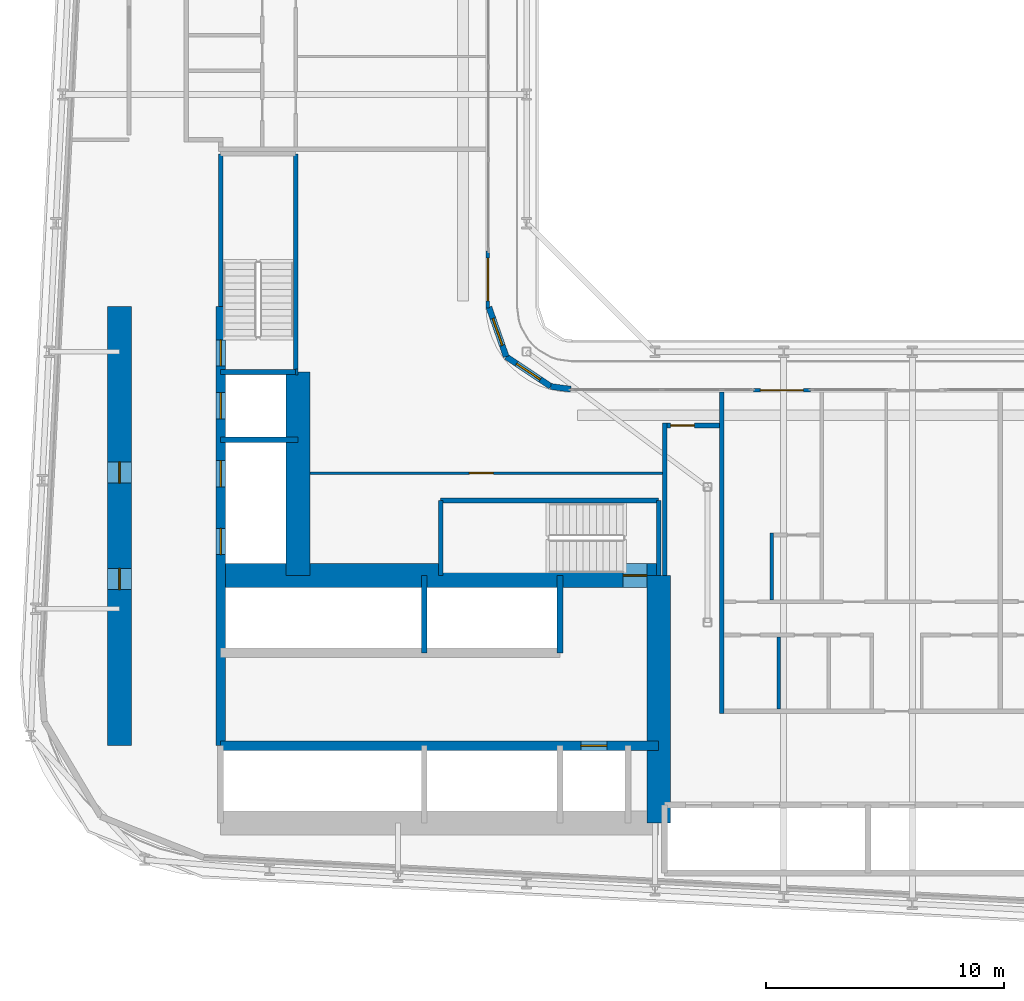
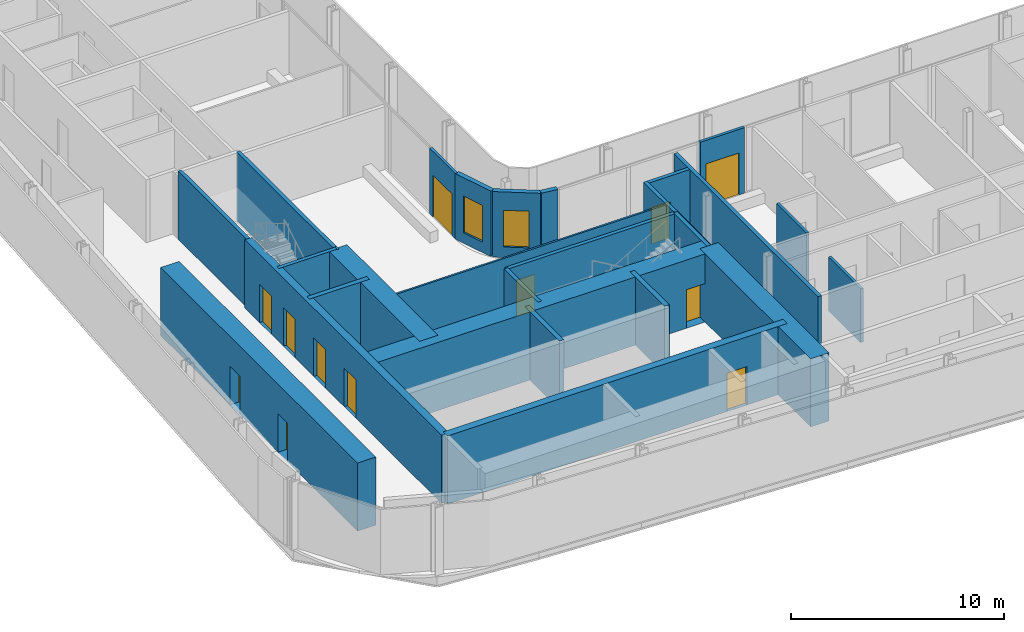
# One storey, part 13 of 28: 27 walls, 12 doors, 2 windows, 14 openings.
"""IFC4 building model written with IfcOpenShell, lengths in metres."""

from ifc_helpers import new_model, si_unit, direction, frame, frame_2d, origin, place, context, subcontext, project, spatial, rectangle, extrude, source, transform, mapped, material, layer, layer_set, type_object, element, fill, save


model = new_model("IFC4")

# Units and contexts
model_context = context("Model", 3, precision=1e-05, world=origin(), true_north=direction((0.0, 1.0)))
body_context = subcontext(model_context, "Body", "Model", "MODEL_VIEW")
ifc_project = project(units=[si_unit("LENGTHUNIT", "METRE"), si_unit("AREAUNIT", "SQUARE_METRE"), si_unit("VOLUMEUNIT", "CUBIC_METRE"), si_unit("PLANEANGLEUNIT", "RADIAN"), si_unit("MASSUNIT", "GRAM", prefix="KILO")], contexts=[model_context])

# Site, building, storey
site_placement = place(None, origin())
site = spatial("IfcSite", under=ifc_project, at=site_placement, CompositionType="ELEMENT")
building_placement = place(site_placement, origin())
building = spatial("IfcBuilding", under=site, at=building_placement, Name="Kheshtan School and Residences Tower", CompositionType="ELEMENT")
storey_placement = place(building_placement, frame((0.0, 0.0, 77.300048828125)))
storey = spatial("IfcBuildingStorey", under=building, at=storey_placement, Name="L18", CompositionType="ELEMENT", Elevation=77.300048828125)

# Wall, opening, door
ifc_material_1 = material(Name="Concrete C80/95", Category="concrete")
ifc_layer_1 = layer(ifc_material_1, 1.0)
ifc_layer_set_1 = layer_set([ifc_layer_1], Name="Core wall 1000 Concrete C80/95")
wall_type_1 = type_object("IfcWallType", Name="Core wall 1000 Concrete C80/95", PredefinedType="SHEAR", material=ifc_layer_set_1)
wall_1_placement = place(storey_placement, frame((34.75, 36.199951171875, 0.0), z_axis=(0.0, 0.0, 1.0), x_axis=(1.0, 0.0, 0.0)))
wall_1 = element("IfcWall", 1, at=wall_1_placement, inside=storey, type_object=wall_type_1, Name="Core wall CW-FRONT-S", PredefinedType="SHEAR", context=body_context, shape_type="SweptSolid", body=[
    extrude(rectangle(XDim=18.39990234375, YDim=1.0, at=frame_2d((9.199951171875, 0.0))), origin(), (0.0, 0.0, 1.0), 3.89990234375),
])
opening_1_placement = place(wall_1_placement, frame((16.89990234375, 0.0, 0.0)))
opening_1 = element("IfcOpeningElement", 2, at=opening_1_placement, cuts=wall_1, Name="Opening ST1D", PredefinedType="OPENING", context=body_context, shape_type="SweptSolid", body=[
    extrude(rectangle(XDim=1.0, YDim=2.199951171875, at=frame_2d((0.5, 1.10009765625))), frame((0.0, 0.510009765625, 0.0), z_axis=(0.0, -1.0, 0.0), x_axis=(1.0, 0.0, 0.0)), (0.0, 0.0, 1.0), 1.02001953125),
])
ifc_material_2 = material(Name="Steel door leaf, galvanised", Category="steel")
door_type_1 = type_object("IfcDoorType", Name="Stair door 1100 steel 90 min", OperationType="SINGLE_SWING_LEFT", PredefinedType="DOOR", material=ifc_material_2)
shared_shape_1 = source(origin(), body_context, "Body", "SweptSolid", [
    extrude(rectangle(XDim=1.0, YDim=2.199951171875, at=frame_2d((0.5, 1.10009765625))), frame((0.0, 0.02490234375, 0.0), z_axis=(0.0, -1.0, 0.0), x_axis=(1.0, 0.0, 0.0)), (0.0, 0.0, 1.0), 0.050048828125),
])
door_1_placement = place(opening_1_placement, origin())
door_1 = element("IfcDoor", 3, at=door_1_placement, inside=storey, type_object=door_type_1, Name="Stair ST1 door", OperationType="SINGLE_SWING_RIGHT", OverallHeight=2.199951171875, OverallWidth=1.0, PredefinedType="DOOR", context=body_context, shape_type="MappedRepresentation", body=[
    mapped(shared_shape_1, transform((0.0, 0.0, 0.0), x_axis=(1.0, 0.0, 0.0), y_axis=(0.0, 1.0, 0.0), z_axis=(0.0, 0.0, 1.0), scale=1.0)),
])
fill(opening_1, door_1)

# Wall
wall_2_placement = place(storey_placement, frame((38.0, 36.199951171875, 0.0), z_axis=(0.0, 0.0, 1.0), x_axis=(0.0, 1.0, 0.0)))
element("IfcWall", 4, at=wall_2_placement, inside=storey, type_object=wall_type_1, Name="Core wall CW-FRONT-W", PredefinedType="SHEAR", context=body_context, shape_type="SweptSolid", body=[
    extrude(rectangle(XDim=8.550048828125, YDim=1.0, at=frame_2d((4.27490234375, 0.0))), origin(), (0.0, 0.0, 1.0), 3.89990234375),
])

# Wall, openings, doors
wall_3_placement = place(storey_placement, frame((30.5, 29.050048828125, 0.0), z_axis=(0.0, 0.0, 1.0), x_axis=(0.0, 1.0, 0.0)))
wall_3 = element("IfcWall", 5, at=wall_3_placement, inside=storey, type_object=wall_type_1, Name="Core wall CW-REAR-W", PredefinedType="SHEAR", context=body_context, shape_type="SweptSolid", body=[
    extrude(rectangle(XDim=18.449951171875, YDim=1.0, at=frame_2d((9.22509765625, 0.0))), origin(), (0.0, 0.0, 1.0), 3.89990234375),
])
opening_2_placement = place(wall_3_placement, frame((6.550048828125, 0.0, 0.0)))
opening_2 = element("IfcOpeningElement", 6, at=opening_2_placement, cuts=wall_3, Name="Opening SR90", PredefinedType="OPENING", context=body_context, shape_type="SweptSolid", body=[
    extrude(rectangle(XDim=0.89990234375, YDim=2.199951171875, at=frame_2d((0.449951171875, 1.10009765625))), frame((0.0, 0.510009765625, 0.0), z_axis=(0.0, -1.0, 0.0), x_axis=(1.0, 0.0, 0.0)), (0.0, 0.0, 1.0), 1.02001953125),
])
opening_3_placement = place(wall_3_placement, frame((11.02490234375, 0.0, 0.0)))
opening_3 = element("IfcOpeningElement", 7, at=opening_3_placement, cuts=wall_3, Name="Opening SR90", PredefinedType="OPENING", context=body_context, shape_type="SweptSolid", body=[
    extrude(rectangle(XDim=0.89990234375, YDim=2.199951171875, at=frame_2d((0.449951171875, 1.10009765625))), frame((0.0, 0.510009765625, 0.0), z_axis=(0.0, -1.0, 0.0), x_axis=(1.0, 0.0, 0.0)), (0.0, 0.0, 1.0), 1.02001953125),
])
door_type_2 = type_object("IfcDoorType", Name="Service room door 900 steel 90 min", OperationType="SINGLE_SWING_LEFT", PredefinedType="DOOR", material=ifc_material_2)
shared_shape_2 = source(origin(), body_context, "Body", "SweptSolid", [
    extrude(rectangle(XDim=0.89990234375, YDim=2.199951171875, at=frame_2d((0.449951171875, 1.10009765625))), frame((0.0, 0.02490234375, 0.0), z_axis=(0.0, -1.0, 0.0), x_axis=(1.0, 0.0, 0.0)), (0.0, 0.0, 1.0), 0.050048828125),
])
door_2_placement = place(opening_2_placement, origin())
door_2 = element("IfcDoor", 8, at=door_2_placement, inside=storey, type_object=door_type_2, Name="Service room door", OperationType="SINGLE_SWING_RIGHT", OverallHeight=2.199951171875, OverallWidth=0.89990234375, PredefinedType="DOOR", context=body_context, shape_type="MappedRepresentation", body=[
    mapped(shared_shape_2, transform((0.0, 0.0, 0.0), x_axis=(1.0, 0.0, 0.0), y_axis=(0.0, 1.0, 0.0), z_axis=(0.0, 0.0, 1.0), scale=1.0)),
])
fill(opening_2, door_2)
door_3_placement = place(opening_3_placement, origin())
door_3 = element("IfcDoor", 9, at=door_3_placement, inside=storey, type_object=door_type_2, Name="Service room door", OperationType="SINGLE_SWING_RIGHT", OverallHeight=2.199951171875, OverallWidth=0.89990234375, PredefinedType="DOOR", context=body_context, shape_type="MappedRepresentation", body=[
    mapped(shared_shape_2, transform((0.0, 0.0, 0.0), x_axis=(1.0, 0.0, 0.0), y_axis=(0.0, 1.0, 0.0), z_axis=(0.0, 0.0, 1.0), scale=1.0)),
])
fill(opening_3, door_3)

# Wall
wall_4_placement = place(storey_placement, frame((53.14990234375, 25.800048828125, 0.0), z_axis=(0.0, 0.0, 1.0), x_axis=(0.0, 1.0, 0.0)))
element("IfcWall", 10, at=wall_4_placement, inside=storey, type_object=wall_type_1, Name="Core wall CW-EAST", PredefinedType="SHEAR", context=body_context, shape_type="SweptSolid", body=[
    extrude(rectangle(XDim=10.39990234375, YDim=1.0, at=frame_2d((5.199951171875, 0.0))), origin(), (0.0, 0.0, 1.0), 3.89990234375),
])

# Wall, opening, door
ifc_material_3 = material(Name="Concrete C50/60", Category="concrete")
ifc_layer_2 = layer(ifc_material_3, 0.39990234375)
ifc_layer_set_2 = layer_set([ifc_layer_2], Name="Core wall 400 Concrete C50/60")
wall_type_2 = type_object("IfcWallType", Name="Core wall 400 Concrete C50/60", PredefinedType="SHEAR", material=ifc_layer_set_2)
wall_5_placement = place(storey_placement, frame((34.75, 29.050048828125, 0.0), z_axis=(0.0, 0.0, 1.0), x_axis=(1.0, 0.0, 0.0)))
wall_5 = element("IfcWall", 11, at=wall_5_placement, inside=storey, type_object=wall_type_2, Name="Core wall CW-HALL-S1", PredefinedType="SHEAR", context=body_context, shape_type="SweptSolid", body=[
    extrude(rectangle(XDim=18.39990234375, YDim=0.39990234375, at=frame_2d((9.199951171875, 0.0))), origin(), (0.0, 0.0, 1.0), 3.89990234375),
])
opening_4_placement = place(wall_5_placement, frame((15.125, 0.0, 0.0)))
opening_4 = element("IfcOpeningElement", 12, at=opening_4_placement, cuts=wall_5, Name="Opening LD", PredefinedType="OPENING", context=body_context, shape_type="SweptSolid", body=[
    extrude(rectangle(XDim=1.10009765625, YDim=2.199951171875, at=frame_2d((0.550048828125, 1.10009765625))), frame((0.0, 0.2099609375, 0.0), z_axis=(0.0, -1.0, 0.0), x_axis=(1.0, 0.0, 0.0)), (0.0, 0.0, 1.0), 0.419921875),
])
ifc_material_4 = material(Name="Stainless steel door leaves", Category="steel")
door_type_3 = type_object("IfcDoorType", Name="Lift landing door 1100", OperationType="SLIDING_TO_LEFT", PredefinedType="DOOR", material=ifc_material_4)
shared_shape_3 = source(origin(), body_context, "Body", "SweptSolid", [
    extrude(rectangle(XDim=1.10009765625, YDim=2.199951171875, at=frame_2d((0.550048828125, 1.10009765625))), frame((0.0, 0.02490234375, 0.0), z_axis=(0.0, -1.0, 0.0), x_axis=(1.0, 0.0, 0.0)), (0.0, 0.0, 1.0), 0.050048828125),
])
door_4_placement = place(opening_4_placement, origin())
door_4 = element("IfcDoor", 13, at=door_4_placement, inside=storey, type_object=door_type_3, Name="Lift FFL2 landing door", OperationType="SLIDING_TO_LEFT", OverallHeight=2.199951171875, OverallWidth=1.10009765625, PredefinedType="DOOR", context=body_context, shape_type="MappedRepresentation", body=[
    mapped(shared_shape_3, transform((0.0, 0.0, 0.0), x_axis=(1.0, 0.0, 0.0), y_axis=(0.0, 1.0, 0.0), z_axis=(0.0, 0.0, 1.0), scale=1.0)),
])
fill(opening_4, door_4)

# Wall, openings, doors
wall_6_placement = place(storey_placement, frame((34.75, 29.050048828125, 0.0), z_axis=(0.0, 0.0, 1.0), x_axis=(0.0, 1.0, 0.0)))
wall_6 = element("IfcWall", 14, at=wall_6_placement, inside=storey, type_object=wall_type_2, Name="Core wall CW-HALL-W1", PredefinedType="SHEAR", context=body_context, shape_type="SweptSolid", body=[
    extrude(rectangle(XDim=18.449951171875, YDim=0.39990234375, at=frame_2d((9.22509765625, 0.0))), origin(), (0.0, 0.0, 1.0), 3.89990234375),
])
opening_5_placement = place(wall_6_placement, frame((8.02490234375, 0.0, 0.0)))
opening_5 = element("IfcOpeningElement", 15, at=opening_5_placement, cuts=wall_6, Name="Opening LD", PredefinedType="OPENING", context=body_context, shape_type="SweptSolid", body=[
    extrude(rectangle(XDim=1.10009765625, YDim=2.199951171875, at=frame_2d((0.550048828125, 1.10009765625))), frame((0.0, 0.2099609375, 0.0), z_axis=(0.0, -1.0, 0.0), x_axis=(1.0, 0.0, 0.0)), (0.0, 0.0, 1.0), 0.419921875),
])
opening_6_placement = place(wall_6_placement, frame((10.875, 0.0, 0.0)))
opening_6 = element("IfcOpeningElement", 16, at=opening_6_placement, cuts=wall_6, Name="Opening LD", PredefinedType="OPENING", context=body_context, shape_type="SweptSolid", body=[
    extrude(rectangle(XDim=1.10009765625, YDim=2.199951171875, at=frame_2d((0.550048828125, 1.10009765625))), frame((0.0, 0.2099609375, 0.0), z_axis=(0.0, -1.0, 0.0), x_axis=(1.0, 0.0, 0.0)), (0.0, 0.0, 1.0), 0.419921875),
])
opening_7_placement = place(wall_6_placement, frame((13.72509765625, 0.0, 0.0)))
opening_7 = element("IfcOpeningElement", 17, at=opening_7_placement, cuts=wall_6, Name="Opening LD", PredefinedType="OPENING", context=body_context, shape_type="SweptSolid", body=[
    extrude(rectangle(XDim=1.10009765625, YDim=2.199951171875, at=frame_2d((0.550048828125, 1.10009765625))), frame((0.0, 0.2099609375, 0.0), z_axis=(0.0, -1.0, 0.0), x_axis=(1.0, 0.0, 0.0)), (0.0, 0.0, 1.0), 0.419921875),
])
opening_8_placement = place(wall_6_placement, frame((15.949951171875, 0.0, 0.0)))
opening_8 = element("IfcOpeningElement", 18, at=opening_8_placement, cuts=wall_6, Name="Opening ST2D", PredefinedType="OPENING", context=body_context, shape_type="SweptSolid", body=[
    extrude(rectangle(XDim=1.10009765625, YDim=2.199951171875, at=frame_2d((0.550048828125, 1.10009765625))), frame((0.0, 0.2099609375, 0.0), z_axis=(0.0, -1.0, 0.0), x_axis=(1.0, 0.0, 0.0)), (0.0, 0.0, 1.0), 0.419921875),
])
door_5_placement = place(opening_5_placement, origin())
door_5 = element("IfcDoor", 19, at=door_5_placement, inside=storey, type_object=door_type_3, Name="Lift SV1 landing door", OperationType="SLIDING_TO_LEFT", OverallHeight=2.199951171875, OverallWidth=1.10009765625, PredefinedType="DOOR", context=body_context, shape_type="MappedRepresentation", body=[
    mapped(shared_shape_3, transform((0.0, 0.0, 0.0), x_axis=(1.0, 0.0, 0.0), y_axis=(0.0, 1.0, 0.0), z_axis=(0.0, 0.0, 1.0), scale=1.0)),
])
fill(opening_5, door_5)
door_6_placement = place(opening_6_placement, origin())
door_6 = element("IfcDoor", 20, at=door_6_placement, inside=storey, type_object=door_type_3, Name="Lift SV2 landing door", OperationType="SLIDING_TO_LEFT", OverallHeight=2.199951171875, OverallWidth=1.10009765625, PredefinedType="DOOR", context=body_context, shape_type="MappedRepresentation", body=[
    mapped(shared_shape_3, transform((0.0, 0.0, 0.0), x_axis=(1.0, 0.0, 0.0), y_axis=(0.0, 1.0, 0.0), z_axis=(0.0, 0.0, 1.0), scale=1.0)),
])
fill(opening_6, door_6)
door_7_placement = place(opening_7_placement, origin())
door_7 = element("IfcDoor", 21, at=door_7_placement, inside=storey, type_object=door_type_3, Name="Lift FFL1 landing door", OperationType="SLIDING_TO_LEFT", OverallHeight=2.199951171875, OverallWidth=1.10009765625, PredefinedType="DOOR", context=body_context, shape_type="MappedRepresentation", body=[
    mapped(shared_shape_3, transform((0.0, 0.0, 0.0), x_axis=(1.0, 0.0, 0.0), y_axis=(0.0, 1.0, 0.0), z_axis=(0.0, 0.0, 1.0), scale=1.0)),
])
fill(opening_7, door_7)
shared_shape_4 = source(origin(), body_context, "Body", "SweptSolid", [
    extrude(rectangle(XDim=1.10009765625, YDim=2.199951171875, at=frame_2d((0.550048828125, 1.10009765625))), frame((0.0, 0.02490234375, 0.0), z_axis=(0.0, -1.0, 0.0), x_axis=(1.0, 0.0, 0.0)), (0.0, 0.0, 1.0), 0.050048828125),
])
door_8_placement = place(opening_8_placement, origin())
door_8 = element("IfcDoor", 22, at=door_8_placement, inside=storey, type_object=door_type_1, Name="Stair ST2 door", OperationType="SINGLE_SWING_RIGHT", OverallHeight=2.199951171875, OverallWidth=1.10009765625, PredefinedType="DOOR", context=body_context, shape_type="MappedRepresentation", body=[
    mapped(shared_shape_4, transform((0.0, 0.0, 0.0), x_axis=(1.0, 0.0, 0.0), y_axis=(0.0, 1.0, 0.0), z_axis=(0.0, 0.0, 1.0), scale=1.0)),
])
fill(opening_8, door_8)

# Wall
ifc_material_5 = material(Name="Gypsum board on steel studs with fire boards", Category="steel")
ifc_layer_3 = layer(ifc_material_5, 0.199951171875)
ifc_layer_set_3 = layer_set([ifc_layer_3], Name="Corridor wall 200")
wall_type_3 = type_object("IfcWallType", Name="Corridor wall 200", PredefinedType="PARTITIONING", material=ifc_layer_set_3)
wall_7_placement = place(storey_placement, frame((53.39990234375, 36.198974609375, 0.0), z_axis=(0.0, 0.0, 1.0), x_axis=(0.0, 1.0, 0.0)))
element("IfcWall", 23, at=wall_7_placement, inside=storey, type_object=wall_type_3, Name="Partition L18-044", PredefinedType="PARTITIONING", context=body_context, shape_type="SweptSolid", body=[
    extrude(rectangle(XDim=6.401123046875, YDim=0.199951171875, at=frame_2d((3.20068359375, 0.0))), origin(), (0.0, 0.0, 1.0), 3.599853515625),
])

# Wall, opening, door
wall_8_placement = place(storey_placement, frame((53.5, 42.5, 0.0), z_axis=(0.0, 0.0, 1.0), x_axis=(1.0, 0.0, 0.0)))
wall_8 = element("IfcWall", 24, at=wall_8_placement, inside=storey, type_object=wall_type_3, Name="Partition L18-045", PredefinedType="PARTITIONING", context=body_context, shape_type="SweptSolid", body=[
    extrude(rectangle(XDim=2.199951171875, YDim=0.199951171875, at=frame_2d((1.10009765625, 0.0))), origin(), (0.0, 0.0, 1.0), 3.599853515625),
])
opening_9_placement = place(wall_8_placement, frame((0.14990234375, 0.0, 0.0)))
opening_9 = element("IfcOpeningElement", 25, at=opening_9_placement, cuts=wall_8, Name="Opening D17-067", PredefinedType="OPENING", context=body_context, shape_type="SweptSolid", body=[
    extrude(rectangle(XDim=1.0, YDim=2.10009765625, at=frame_2d((0.5, 1.050048828125))), frame((0.0, 0.10986328125, 0.0), z_axis=(0.0, -1.0, 0.0), x_axis=(1.0, 0.0, 0.0)), (0.0, 0.0, 1.0), 0.219970703125),
])
ifc_material_6 = material(Name="Steel-framed fire-resisting door leaf", Category="steel")
door_type_4 = type_object("IfcDoorType", Name="Fire door FD60 1000 x 2100", OperationType="SINGLE_SWING_LEFT", PredefinedType="DOOR", material=ifc_material_6)
shared_shape_5 = source(origin(), body_context, "Body", "SweptSolid", [
    extrude(rectangle(XDim=1.0, YDim=2.10009765625, at=frame_2d((0.5, 1.050048828125))), frame((0.0, 0.02490234375, 0.0), z_axis=(0.0, -1.0, 0.0), x_axis=(1.0, 0.0, 0.0)), (0.0, 0.0, 1.0), 0.050048828125),
])
door_9_placement = place(opening_9_placement, origin())
door_9 = element("IfcDoor", 26, at=door_9_placement, inside=storey, type_object=door_type_4, Name="Door D17-067", OperationType="SINGLE_SWING_RIGHT", OverallHeight=2.10009765625, OverallWidth=1.0, PredefinedType="DOOR", context=body_context, shape_type="MappedRepresentation", body=[
    mapped(shared_shape_5, transform((0.0, 0.0, 0.0), x_axis=(1.0, 0.0, 0.0), y_axis=(0.0, 1.0, 0.0), z_axis=(0.0, 0.0, 1.0), scale=1.0)),
])
fill(opening_9, door_9)

# Wall, opening, window
ifc_material_7 = material(Name="Concrete C40/50 with ceramic cladding and mineral wool insulation", Category="concrete")
ifc_layer_4 = layer(ifc_material_7, 0.25)
ifc_layer_set_4 = layer_set([ifc_layer_4], Name="External wall 250 ceramic clad")
wall_type_4 = type_object("IfcWallType", Name="External wall 250 ceramic clad", PredefinedType="SOLIDWALL", material=ifc_layer_set_4)
wall_9_placement = place(storey_placement, frame((46.01806640625, 47.470947265625, 0.0), z_axis=(0.0, 0.0, 1.0), x_axis=(0.328791208903, -0.944402637093, 0.0)))
wall_9 = element("IfcWall", 27, at=wall_9_placement, inside=storey, type_object=wall_type_4, Name="External wall L18 9", PredefinedType="SOLIDWALL", context=body_context, shape_type="SweptSolid", body=[
    extrude(rectangle(XDim=2.20458984375, YDim=0.25, at=frame_2d((1.102294921875, 0.0))), origin(), (0.0, 0.0, 1.0), 3.75),
])
opening_10_placement = place(wall_9_placement, frame((0.5029296875, 0.0, 0.60009765625)))
opening_10 = element("IfcOpeningElement", 28, at=opening_10_placement, cuts=wall_9, Name="Opening WN-E", PredefinedType="OPENING", context=body_context, shape_type="SweptSolid", body=[
    extrude(rectangle(XDim=1.199951171875, YDim=2.10009765625, at=frame_2d((0.60009765625, 1.050048828125))), frame((0.0, 0.135009765625, 0.0), z_axis=(0.0, -1.0, 0.0), x_axis=(1.0, 0.0, 0.0)), (0.0, 0.0, 1.0), 0.27001953125),
])
ifc_material_8 = material(Name="Clear low-e glass in thermally broken aluminium frame", Category="aluminium")
window_type = type_object("IfcWindowType", Name="Window WN-E", PartitioningType="SINGLE_PANEL", PredefinedType="WINDOW", material=ifc_material_8)
shared_shape_6 = source(origin(), body_context, "Body", "SweptSolid", [
    extrude(rectangle(XDim=1.199951171875, YDim=2.10009765625, at=frame_2d((0.60009765625, 1.050048828125))), frame((0.0, 0.030029296875, 0.0), z_axis=(0.0, -1.0, 0.0), x_axis=(1.0, 0.0, 0.0)), (0.0, 0.0, 1.0), 0.06005859375),
])
window_1_placement = place(opening_10_placement, origin())
window_1 = element("IfcWindow", 29, at=window_1_placement, inside=storey, type_object=window_type, Name="Window L18 9", OverallHeight=2.10009765625, OverallWidth=1.199951171875, PartitioningType="SINGLE_PANEL", PredefinedType="WINDOW", context=body_context, shape_type="MappedRepresentation", body=[
    mapped(shared_shape_6, transform((0.0, 0.0, 0.0), x_axis=(1.0, 0.0, 0.0), y_axis=(0.0, 1.0, 0.0), z_axis=(0.0, 0.0, 1.0), scale=1.0)),
])
fill(opening_10, window_1)

wall_10_placement = place(storey_placement, frame((46.742919921875, 45.388916015625, 0.0), z_axis=(0.0, 0.0, 1.0), x_axis=(0.831449265529, -0.555600682912, 0.0)))
wall_10 = element("IfcWall", 30, at=wall_10_placement, inside=storey, type_object=wall_type_4, Name="External wall L18 10", PredefinedType="SOLIDWALL", context=body_context, shape_type="SweptSolid", body=[
    extrude(rectangle(XDim=2.25146484375, YDim=0.25, at=frame_2d((1.125732421875, 0.0))), origin(), (0.0, 0.0, 1.0), 3.75),
])
opening_11_placement = place(wall_10_placement, frame((0.52490234375, 0.0, 0.60009765625)))
opening_11 = element("IfcOpeningElement", 31, at=opening_11_placement, cuts=wall_10, Name="Opening WN-E", PredefinedType="OPENING", context=body_context, shape_type="SweptSolid", body=[
    extrude(rectangle(XDim=1.199951171875, YDim=2.10009765625, at=frame_2d((0.60009765625, 1.050048828125))), frame((0.0, 0.135009765625, 0.0), z_axis=(0.0, -1.0, 0.0), x_axis=(1.0, 0.0, 0.0)), (0.0, 0.0, 1.0), 0.27001953125),
])
window_2_placement = place(opening_11_placement, origin())
window_2 = element("IfcWindow", 32, at=window_2_placement, inside=storey, type_object=window_type, Name="Window L18 10", OverallHeight=2.10009765625, OverallWidth=1.199951171875, PartitioningType="SINGLE_PANEL", PredefinedType="WINDOW", context=body_context, shape_type="MappedRepresentation", body=[
    mapped(shared_shape_6, transform((0.0, 0.0, 0.0), x_axis=(1.0, 0.0, 0.0), y_axis=(0.0, 1.0, 0.0), z_axis=(0.0, 0.0, 1.0), scale=1.0)),
])
fill(opening_11, window_2)

# Wall
wall_11_placement = place(storey_placement, frame((48.614990234375, 44.137939453125, 0.0), z_axis=(0.0, 0.0, 1.0), x_axis=(0.990741504246, -0.135761819977, 0.0)))
element("IfcWall", 33, at=wall_11_placement, inside=storey, type_object=wall_type_4, Name="External wall L18 11", PredefinedType="SOLIDWALL", context=body_context, shape_type="SweptSolid", body=[
    extrude(rectangle(XDim=0.83984375, YDim=0.25, at=frame_2d((0.419921875, 0.0))), origin(), (0.0, 0.0, 1.0), 3.75),
])

# Wall, opening, door
ifc_material_9 = material(Name="Aluminium frame wall with insulated infill", Category="aluminium")
ifc_layer_5 = layer(ifc_material_9, 0.14990234375)
ifc_layer_set_5 = layer_set([ifc_layer_5], Name="Glazing frame wall 150")
wall_type_5 = type_object("IfcWallType", Name="Glazing frame wall 150", PredefinedType="SOLIDWALL", material=ifc_layer_set_5)
wall_12_placement = place(storey_placement, frame((45.97509765625, 49.830078125, 0.0), z_axis=(0.0, 0.0, 1.0), x_axis=(0.0, -1.0, 0.0)))
wall_12 = element("IfcWall", 34, at=wall_12_placement, inside=storey, type_object=wall_type_5, Name="Balcony door wall L18 8.5", PredefinedType="SOLIDWALL", context=body_context, shape_type="SweptSolid", body=[
    extrude(rectangle(XDim=2.400146484375, YDim=0.14990234375, at=frame_2d((1.2001953125, 0.0))), origin(), (0.0, 0.0, 1.0), 3.75),
])
opening_12_placement = place(wall_12_placement, frame((0.300048828125, 0.0, 0.0)))
opening_12 = element("IfcOpeningElement", 35, at=opening_12_placement, cuts=wall_12, Name="Opening BD", PredefinedType="OPENING", context=body_context, shape_type="SweptSolid", body=[
    extrude(rectangle(XDim=1.800048828125, YDim=2.39990234375, at=frame_2d((0.89990234375, 1.199951171875))), frame((0.0, 0.0849609375, 0.0), z_axis=(0.0, -1.0, 0.0), x_axis=(1.0, 0.0, 0.0)), (0.0, 0.0, 1.0), 0.169921875),
])
door_type_5 = type_object("IfcDoorType", Name="Balcony sliding door", OperationType="SLIDING_TO_LEFT", PredefinedType="DOOR", material=ifc_material_8)
shared_shape_7 = source(origin(), body_context, "Body", "SweptSolid", [
    extrude(rectangle(XDim=1.800048828125, YDim=2.39990234375, at=frame_2d((0.89990234375, 1.199951171875))), frame((0.0, 0.02490234375, 0.0), z_axis=(0.0, -1.0, 0.0), x_axis=(1.0, 0.0, 0.0)), (0.0, 0.0, 1.0), 0.050048828125),
])
door_10_placement = place(opening_12_placement, origin())
door_10 = element("IfcDoor", 36, at=door_10_placement, inside=storey, type_object=door_type_5, Name="Balcony door L18 8.5", OperationType="SLIDING_TO_LEFT", OverallHeight=2.39990234375, OverallWidth=1.800048828125, PredefinedType="DOOR", context=body_context, shape_type="MappedRepresentation", body=[
    mapped(shared_shape_7, transform((0.0, 0.0, 0.0), x_axis=(1.0, 0.0, 0.0), y_axis=(0.0, 1.0, 0.0), z_axis=(0.0, 0.0, 1.0), scale=1.0)),
])
fill(opening_12, door_10)

wall_13_placement = place(storey_placement, frame((57.1240234375, 43.97509765625, 0.0), z_axis=(0.0, 0.0, 1.0), x_axis=(1.0, 0.0, 0.0)))
wall_13 = element("IfcWall", 37, at=wall_13_placement, inside=storey, type_object=wall_type_5, Name="Balcony door wall L18 12.1", PredefinedType="SOLIDWALL", context=body_context, shape_type="SweptSolid", body=[
    extrude(rectangle(XDim=2.39990234375, YDim=0.14990234375, at=frame_2d((1.199951171875, 0.0))), origin(), (0.0, 0.0, 1.0), 3.75),
])
opening_13_placement = place(wall_13_placement, frame((0.300048828125, 0.0, 0.0)))
opening_13 = element("IfcOpeningElement", 38, at=opening_13_placement, cuts=wall_13, Name="Opening BD", PredefinedType="OPENING", context=body_context, shape_type="SweptSolid", body=[
    extrude(rectangle(XDim=1.800048828125, YDim=2.39990234375, at=frame_2d((0.89990234375, 1.199951171875))), frame((0.0, 0.0849609375, 0.0), z_axis=(0.0, -1.0, 0.0), x_axis=(1.0, 0.0, 0.0)), (0.0, 0.0, 1.0), 0.169921875),
])
door_11_placement = place(opening_13_placement, origin())
door_11 = element("IfcDoor", 39, at=door_11_placement, inside=storey, type_object=door_type_5, Name="Balcony door L18 12.1", OperationType="SLIDING_TO_LEFT", OverallHeight=2.39990234375, OverallWidth=1.800048828125, PredefinedType="DOOR", context=body_context, shape_type="MappedRepresentation", body=[
    mapped(shared_shape_7, transform((0.0, 0.0, 0.0), x_axis=(1.0, 0.0, 0.0), y_axis=(0.0, 1.0, 0.0), z_axis=(0.0, 0.0, 1.0), scale=1.0)),
])
fill(opening_13, door_11)

ifc_material_10 = material(Name="Gypsum board on steel studs", Category="steel")
ifc_layer_6 = layer(ifc_material_10, 0.10009765625)
ifc_layer_set_6 = layer_set([ifc_layer_6], Name="Gypsum partition 100")
wall_type_6 = type_object("IfcWallType", Name="Gypsum partition 100", PredefinedType="PARTITIONING", material=ifc_layer_set_6)
wall_14_placement = place(storey_placement, frame((38.4990234375, 40.5, 0.0), z_axis=(0.0, 0.0, 1.0), x_axis=(1.0, 0.0, 0.0)))
wall_14 = element("IfcWall", 40, at=wall_14_placement, inside=storey, type_object=wall_type_6, Name="Partition L18-042", PredefinedType="PARTITIONING", context=body_context, shape_type="SweptSolid", body=[
    extrude(rectangle(XDim=14.801025390625, YDim=0.10009765625, at=frame_2d((7.400390625, 0.0))), origin(), (0.0, 0.0, 1.0), 3.599853515625),
])
opening_14_placement = place(wall_14_placement, frame((6.700927734375, 0.0, 0.0)))
opening_14 = element("IfcOpeningElement", 41, at=opening_14_placement, cuts=wall_14, Name="Opening D17-066", PredefinedType="OPENING", context=body_context, shape_type="SweptSolid", body=[
    extrude(rectangle(XDim=1.0, YDim=2.10009765625, at=frame_2d((0.5, 1.050048828125))), frame((0.0, 0.06005859375, 0.0), z_axis=(0.0, -1.0, 0.0), x_axis=(1.0, 0.0, 0.0)), (0.0, 0.0, 1.0), 0.1201171875),
])
ifc_material_11 = material(Name="Veneered timber door leaf", Category="wood")
door_type_6 = type_object("IfcDoorType", Name="Door 1000 x 2100", OperationType="SINGLE_SWING_LEFT", PredefinedType="DOOR", material=ifc_material_11)
shared_shape_8 = source(origin(), body_context, "Body", "SweptSolid", [
    extrude(rectangle(XDim=1.0, YDim=2.10009765625, at=frame_2d((0.5, 1.050048828125))), frame((0.0, 0.02490234375, 0.0), z_axis=(0.0, -1.0, 0.0), x_axis=(1.0, 0.0, 0.0)), (0.0, 0.0, 1.0), 0.050048828125),
])
door_12_placement = place(opening_14_placement, origin())
door_12 = element("IfcDoor", 42, at=door_12_placement, inside=storey, type_object=door_type_6, Name="Door D17-066", OperationType="SINGLE_SWING_RIGHT", OverallHeight=2.10009765625, OverallWidth=1.0, PredefinedType="DOOR", context=body_context, shape_type="MappedRepresentation", body=[
    mapped(shared_shape_8, transform((0.0, 0.0, 0.0), x_axis=(1.0, 0.0, 0.0), y_axis=(0.0, 1.0, 0.0), z_axis=(0.0, 0.0, 1.0), scale=1.0)),
])
fill(opening_14, door_12)

# Walls
ifc_material_12 = material(Name="Fire-board shaft wall system")
ifc_layer_7 = layer(ifc_material_12, 0.25)
ifc_layer_set_7 = layer_set([ifc_layer_7], Name="Shaft lining wall 250")
wall_type_7 = type_object("IfcWallType", Name="Shaft lining wall 250", PredefinedType="PARTITIONING", material=ifc_layer_set_7)
for number, where, z_axis, x_axis, name in (
    (43, (43.300048828125, 32.949951171875, 0.0), (0.0, 0.0, 1.0), (0.0, 1.0, 0.0), "Shaft lining wall"),
    (44, (49.0, 32.949951171875, 0.0), (0.0, 0.0, 1.0), (0.0, 1.0, 0.0), "Shaft lining wall"),
    (45, (34.75, 41.89990234375, 0.0), (0.0, 0.0, 1.0), (1.0, 0.0, 0.0), "Shaft lining wall"),
):
    element("IfcWall", number, at=place(storey_placement, frame(where, z_axis=z_axis, x_axis=x_axis)), inside=storey, type_object=wall_type_7, Name=name, PredefinedType="PARTITIONING", context=body_context, shape_type="SweptSolid", body=[
        extrude(rectangle(XDim=3.25, YDim=0.25, at=frame_2d((1.625, 0.0))), origin(), (0.0, 0.0, 1.0), 3.89990234375),
    ])
wall_15_placement = place(storey_placement, frame((37.89990234375, 44.75, 0.0), z_axis=(0.0, 0.0, 1.0), x_axis=(1.0, 0.0, 0.0)))
element("IfcWall", 46, at=wall_15_placement, inside=storey, type_object=wall_type_7, Name="Shaft lining wall", PredefinedType="PARTITIONING", context=body_context, shape_type="SweptSolid", body=[
    extrude(rectangle(XDim=0.10009765625, YDim=0.25, at=frame_2d((0.050048828125, 0.0))), origin(), (0.0, 0.0, 1.0), 3.89990234375),
])
ifc_material_13 = material(Name="Concrete C40/50", Category="concrete")
ifc_layer_8 = layer(ifc_material_13, 0.199951171875)
ifc_layer_set_8 = layer_set([ifc_layer_8], Name="Stair enclosure wall 200 Concrete C40/50")
wall_type_8 = type_object("IfcWallType", Name="Stair enclosure wall 200 Concrete C40/50", PredefinedType="SHEAR", material=ifc_layer_set_8)
wall_16_placement = place(storey_placement, frame((43.989990234375, 39.35009765625, 0.0), z_axis=(0.0, 0.0, 1.0), x_axis=(1.0, 0.0, 0.0)))
element("IfcWall", 47, at=wall_16_placement, inside=storey, type_object=wall_type_8, Name="Stair enclosure wall ST1", PredefinedType="SHEAR", context=body_context, shape_type="SweptSolid", body=[
    extrude(rectangle(XDim=9.159912109375, YDim=0.199951171875, at=frame_2d((4.580078125, 0.0))), origin(), (0.0, 0.0, 1.0), 3.89990234375),
])
for number, where, z_axis, x_axis, name in (
    (48, (43.989990234375, 36.199951171875, 0.0), (0.0, 0.0, 1.0), (0.0, 1.0, 0.0), "Stair enclosure wall ST1"),
    (49, (53.14990234375, 36.199951171875, 0.0), (0.0, 0.0, 1.0), (0.0, 1.0, 0.0), "Stair enclosure wall ST1"),
):
    element("IfcWall", number, at=place(storey_placement, frame(where, z_axis=z_axis, x_axis=x_axis)), inside=storey, type_object=wall_type_8, Name=name, PredefinedType="SHEAR", context=body_context, shape_type="SweptSolid", body=[
        extrude(rectangle(XDim=3.150146484375, YDim=0.199951171875, at=frame_2d((1.5751953125, 0.0))), origin(), (0.0, 0.0, 1.0), 3.89990234375),
    ])
wall_17_placement = place(storey_placement, frame((34.75, 44.75, 0.0), z_axis=(0.0, 0.0, 1.0), x_axis=(1.0, 0.0, 0.0)))
element("IfcWall", 50, at=wall_17_placement, inside=storey, type_object=wall_type_8, Name="Stair enclosure wall ST2", PredefinedType="SHEAR", context=body_context, shape_type="SweptSolid", body=[
    extrude(rectangle(XDim=3.14990234375, YDim=0.199951171875, at=frame_2d((1.574951171875, 0.0))), origin(), (0.0, 0.0, 1.0), 3.89990234375),
])
wall_18_placement = place(storey_placement, frame((34.75, 47.5, 0.0), z_axis=(0.0, 0.0, 1.0), x_axis=(0.0, 1.0, 0.0)))
element("IfcWall", 51, at=wall_18_placement, inside=storey, type_object=wall_type_8, Name="Stair enclosure wall ST2", PredefinedType="SHEAR", context=body_context, shape_type="SweptSolid", body=[
    extrude(rectangle(XDim=6.409912109375, YDim=0.199951171875, at=frame_2d((3.205078125, 0.0))), origin(), (0.0, 0.0, 1.0), 3.89990234375),
])
wall_19_placement = place(storey_placement, frame((37.89990234375, 44.75, 0.0), z_axis=(0.0, 0.0, 1.0), x_axis=(0.0, 1.0, 0.0)))
element("IfcWall", 52, at=wall_19_placement, inside=storey, type_object=wall_type_8, Name="Stair enclosure wall ST2", PredefinedType="SHEAR", context=body_context, shape_type="SweptSolid", body=[
    extrude(rectangle(XDim=9.159912109375, YDim=0.199951171875, at=frame_2d((4.580078125, 0.0))), origin(), (0.0, 0.0, 1.0), 3.89990234375),
])
ifc_material_14 = material(Name="Twin gypsum board on steel studs with mineral wool", Category="steel")
ifc_layer_9 = layer(ifc_material_14, 0.199951171875)
ifc_layer_set_9 = layer_set([ifc_layer_9], Name="Unit demising wall 200")
wall_type_9 = type_object("IfcWallType", Name="Unit demising wall 200", PredefinedType="PARTITIONING", material=ifc_layer_set_9)
wall_20_placement = place(storey_placement, frame((55.800048828125, 30.39990234375, 0.0), z_axis=(0.0, 0.0, 1.0), x_axis=(0.0, 1.0, 0.0)))
element("IfcWall", 53, at=wall_20_placement, inside=storey, type_object=wall_type_9, Name="Partition L18-046", PredefinedType="PARTITIONING", context=body_context, shape_type="SweptSolid", body=[
    extrude(rectangle(XDim=13.5, YDim=0.199951171875, at=frame_2d((6.75, 0.0))), origin(), (0.0, 0.0, 1.0), 3.599853515625),
])
ifc_material_15 = material(Name="Moisture-resistant gypsum board on steel studs", Category="steel")
ifc_layer_10 = layer(ifc_material_15, 0.14990234375)
ifc_layer_set_10 = layer_set([ifc_layer_10], Name="Wet-room partition 150")
wall_type_10 = type_object("IfcWallType", Name="Wet-room partition 150", PredefinedType="PARTITIONING", material=ifc_layer_set_10)
wall_21_placement = place(storey_placement, frame((57.89990234375, 35.175048828125, 0.0), z_axis=(0.0, 0.0, 1.0), x_axis=(0.0, 1.0, 0.0)))
element("IfcWall", 54, at=wall_21_placement, inside=storey, type_object=wall_type_10, Name="Partition L18-050", PredefinedType="PARTITIONING", context=body_context, shape_type="SweptSolid", body=[
    extrude(rectangle(XDim=2.800048828125, YDim=0.14990234375, at=frame_2d((1.39990234375, 0.0))), origin(), (0.0, 0.0, 1.0), 3.599853515625),
])
wall_22_placement = place(storey_placement, frame((58.199951171875, 30.60009765625, 0.0), z_axis=(0.0, 0.0, 1.0), x_axis=(0.0, 1.0, 0.0)))
element("IfcWall", 55, at=wall_22_placement, inside=storey, type_object=wall_type_10, Name="Partition L18-052", PredefinedType="PARTITIONING", context=body_context, shape_type="SweptSolid", body=[
    extrude(rectangle(XDim=3.02490234375, YDim=0.14990234375, at=frame_2d((1.512451171875, 0.0))), origin(), (0.0, 0.0, 1.0), 3.072021484375),
])

save(model, "model.ifc")
